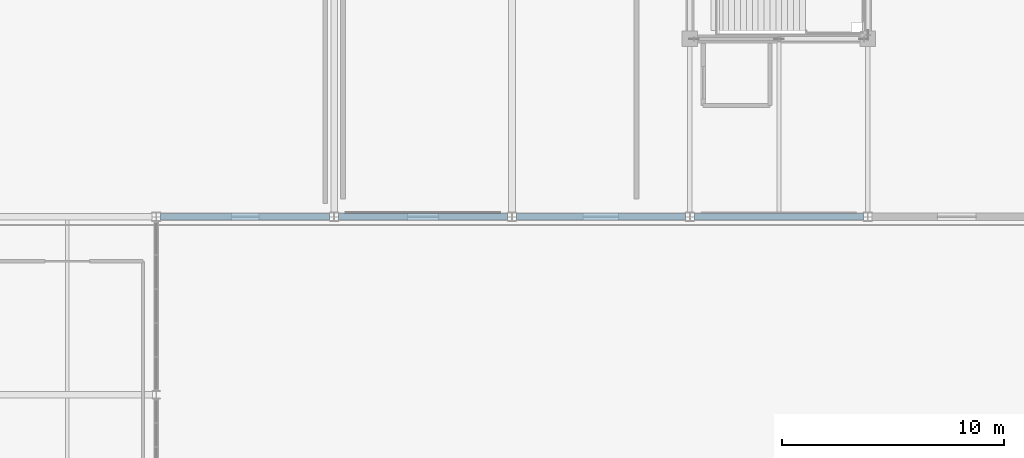
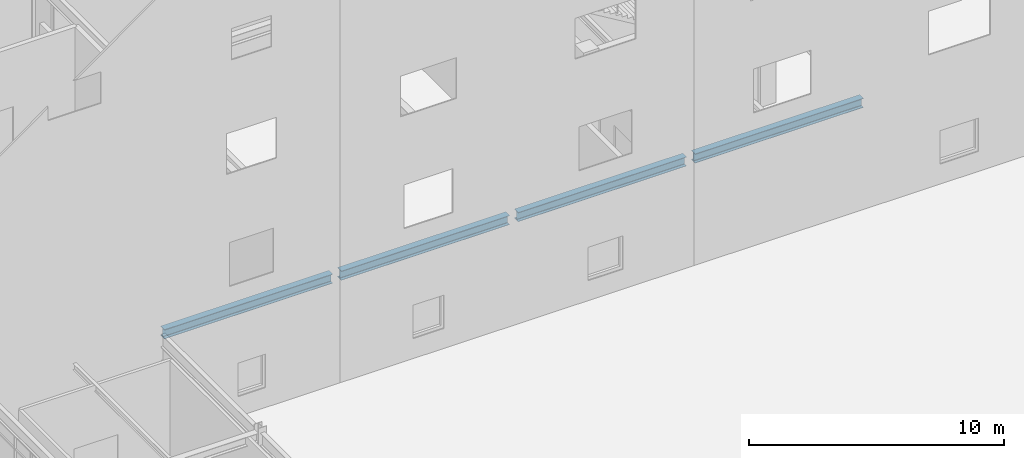
# One storey, part 35 of 119: 4 beams.
"""IFC4 building model written with IfcOpenShell, lengths in metres."""

from ifc_helpers import new_model, si_unit, direction, frame, origin, origin_2d, place, context, subcontext, project, spatial, i_section, extrude, material, material_profile, profile_set, type_object, element, save


model = new_model("IFC4")

# Units and contexts
model_context = context("Model", 3, precision=1e-05, world=origin(), true_north=direction((0.0, 1.0)))
body_context = subcontext(model_context, "Body", "Model", "MODEL_VIEW")
ifc_project = project(units=[si_unit("LENGTHUNIT", "METRE"), si_unit("AREAUNIT", "SQUARE_METRE"), si_unit("VOLUMEUNIT", "CUBIC_METRE"), si_unit("PLANEANGLEUNIT", "RADIAN"), si_unit("MASSUNIT", "GRAM", prefix="KILO")], contexts=[model_context])

# Site, building, storey
site_placement = place(None, origin())
site = spatial("IfcSite", under=ifc_project, at=site_placement, CompositionType="ELEMENT")
building_placement = place(site_placement, origin())
building = spatial("IfcBuilding", under=site, at=building_placement, Name="Zhaolan Boulevard Law Courts", CompositionType="ELEMENT")
storey_placement = place(building_placement, origin())
storey = spatial("IfcBuildingStorey", under=building, at=storey_placement, Name="L00", CompositionType="ELEMENT", Elevation=0.0)

# Beams
ifc_material = material(Name="Structural steel Q355B", Category="steel")
ifc_material_profile = material_profile(ifc_material, i_section(OverallWidth=0.300048828125, OverallDepth=0.43994140625, WebThickness=0.010986328125, FlangeThickness=0.01806640625, FilletRadius=0.02001953125, at=origin_2d()), Name="HM440x300")
ifc_profile_set = profile_set([ifc_material_profile], Name="Structural steel Q355B")
beam_type = type_object("IfcBeamType", Name="GIRDER HM440", PredefinedType="BEAM", material=ifc_profile_set)
for number, where, z_axis, x_axis, name in (
    (1, (60.196044921875, 62.0, 4.89794921875), (1.0, 0.0, 0.0), (0.0, 1.0, 0.0), "Beam BX-L01-8-9-J"),
    (2, (68.196044921875, 62.0, 4.89794921875), (1.0, 0.0, 0.0), (0.0, 1.0, 0.0), "Beam BX-L01-9-10-J"),
    (3, (76.196044921875, 62.0, 4.89794921875), (1.0, 0.0, 0.0), (0.0, 1.0, 0.0), "Beam BX-L01-10-11-J"),
    (4, (84.196044921875, 62.0, 4.89794921875), (1.0, 0.0, 0.0), (0.0, 1.0, 0.0), "Beam BX-L01-11-12-J"),
):
    element("IfcBeam", number, at=place(storey_placement, frame(where, z_axis=z_axis, x_axis=x_axis)), inside=storey, type_object=beam_type, Name=name, PredefinedType="BEAM", context=body_context, shape_type="SweptSolid", body=[
        extrude(i_section(OverallWidth=0.300048828125, OverallDepth=0.43994140625, WebThickness=0.010986328125, FlangeThickness=0.01806640625, FilletRadius=0.02001953125, at=origin_2d()), origin(), (0.0, 0.0, 1.0), 7.60791015625),
    ])

save(model, "model.ifc")
